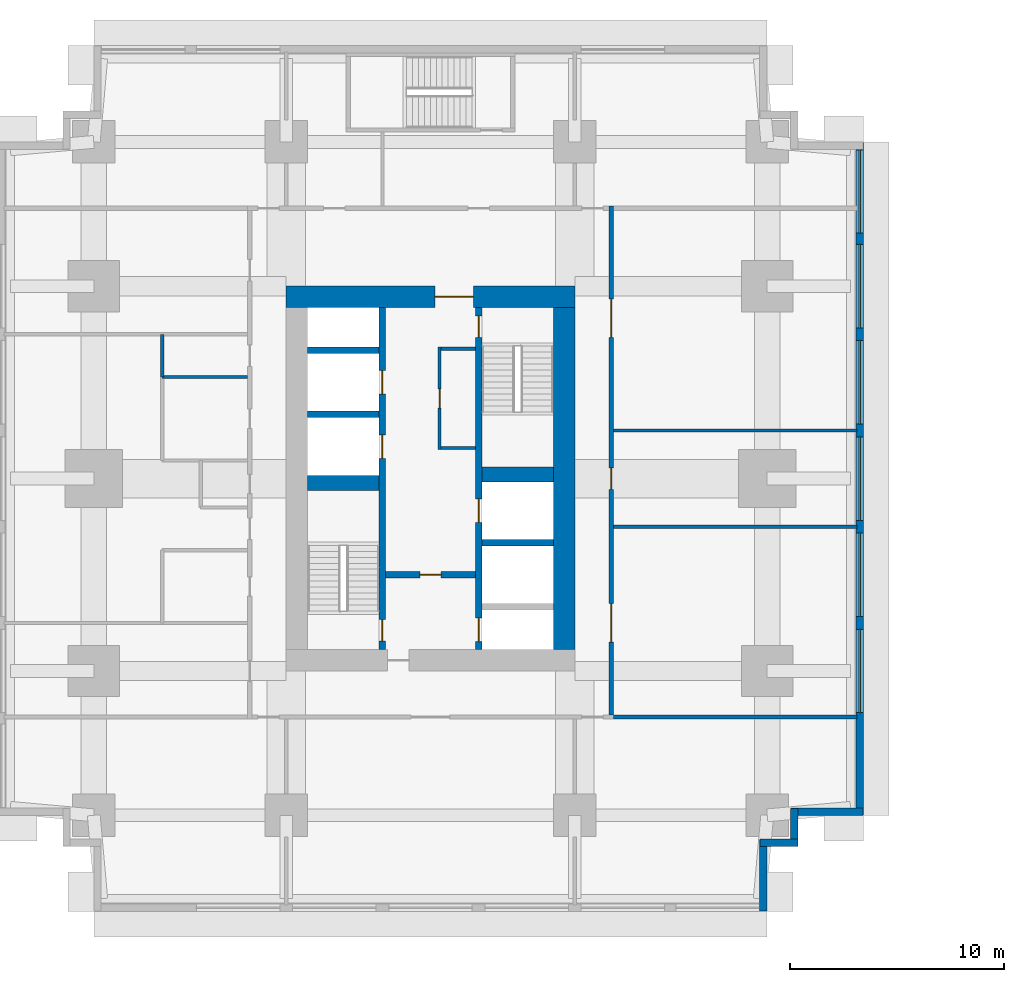
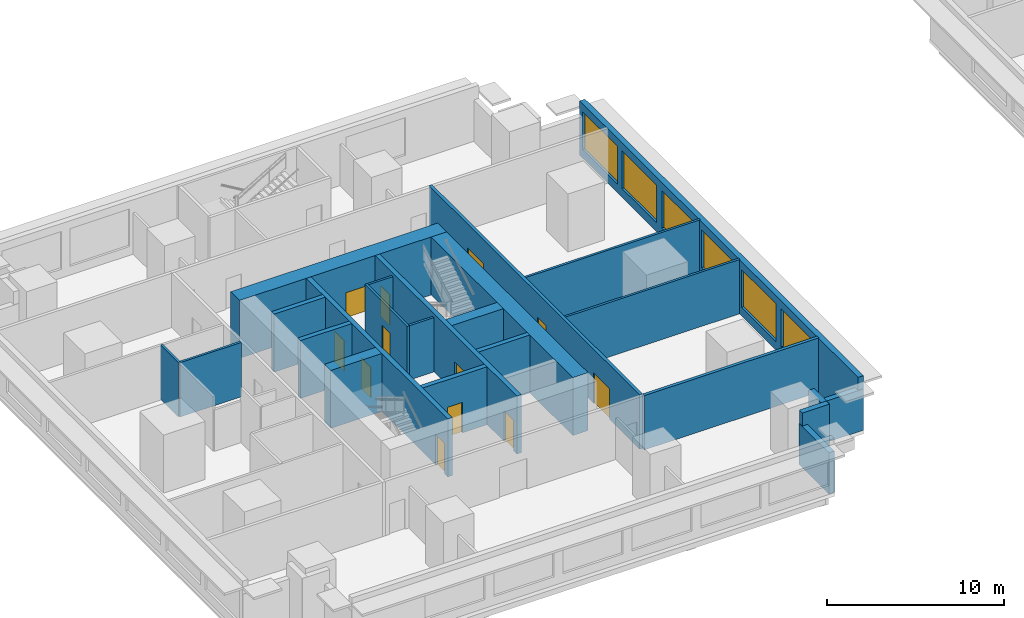
# One storey, part 4 of 11: 24 walls, 12 doors, 6 windows, 18 openings.
"""IFC4 building model written with IfcOpenShell, lengths in metres."""

from ifc_helpers import new_model, si_unit, direction, frame, frame_2d, origin, place, context, subcontext, project, spatial, rectangle, extrude, material, layer, layer_set, type_object, element, fill, save


model = new_model("IFC4")

# Units and contexts
model_context = context("Model", 3, precision=1e-05, world=origin(), true_north=direction((0.0, 1.0)))
body_context = subcontext(model_context, "Body", "Model", "MODEL_VIEW")
ifc_project = project(units=[si_unit("LENGTHUNIT", "METRE"), si_unit("AREAUNIT", "SQUARE_METRE"), si_unit("VOLUMEUNIT", "CUBIC_METRE"), si_unit("PLANEANGLEUNIT", "RADIAN"), si_unit("MASSUNIT", "GRAM", prefix="KILO")], contexts=[model_context])

# Site, building, storey
site_placement = place(None, origin())
site = spatial("IfcSite", under=ifc_project, at=site_placement, CompositionType="ELEMENT")
building_placement = place(site_placement, origin())
building = spatial("IfcBuilding", under=site, at=building_placement, Name="Namib Vertical Campus", CompositionType="ELEMENT")
storey_placement = place(building_placement, frame((0.0, 0.0, 53.0)))
storey = spatial("IfcBuildingStorey", under=building, at=storey_placement, Name="L12", CompositionType="ELEMENT", Elevation=53.0)

# Wall, openings, doors
ifc_material_1 = material(Name="Concrete C60/75", Category="concrete")
ifc_layer_1 = layer(ifc_material_1, 0.300048828125)
ifc_layer_set_1 = layer_set([ifc_layer_1], Name="Concrete C60/75")
wall_type_1 = type_object("IfcWallType", Name="Core inner wall 300", PredefinedType="SHEAR", material=ifc_layer_set_1)
wall_1_placement = place(storey_placement, frame((18.0, 12.25, 0.0), z_axis=(0.0, 0.0, 1.0), x_axis=(0.0, 1.0, 0.0)))
wall_1 = element("IfcWall", 1, at=wall_1_placement, inside=storey, type_object=wall_type_1, Name="Core inner wall A L12 W1", PredefinedType="SHEAR", context=body_context, shape_type="SweptSolid", body=[
    extrude(rectangle(XDim=16.0, YDim=0.300048828125, at=frame_2d((8.0, 0.0))), origin(), (0.0, 0.0, 1.0), 4.0),
])
opening_1_placement = place(wall_1_placement, frame((0.39990234375, 0.0, 0.0)))
opening_1 = element("IfcOpeningElement", 2, at=opening_1_placement, cuts=wall_1, Name="Opening FD1", PredefinedType="OPENING", context=body_context, shape_type="SweptSolid", body=[
    extrude(rectangle(XDim=1.0, YDim=2.10009765625, at=frame_2d((0.5, 1.050048828125))), frame((0.0, 0.159912109375, 0.0), z_axis=(0.0, -1.0, 0.0), x_axis=(1.0, 0.0, 0.0)), (0.0, 0.0, 1.0), 0.320068359375),
])
opening_2_placement = place(wall_1_placement, frame((8.949951171875, 0.0, 0.0)))
opening_2 = element("IfcOpeningElement", 3, at=opening_2_placement, cuts=wall_1, Name="Opening LD1", PredefinedType="OPENING", context=body_context, shape_type="SweptSolid", body=[
    extrude(rectangle(XDim=1.10009765625, YDim=2.10009765625, at=frame_2d((0.550048828125, 1.050048828125))), frame((0.0, 0.159912109375, 0.0), z_axis=(0.0, -1.0, 0.0), x_axis=(1.0, 0.0, 0.0)), (0.0, 0.0, 1.0), 0.320068359375),
])
opening_3_placement = place(wall_1_placement, frame((11.949951171875, 0.0, 0.0)))
opening_3 = element("IfcOpeningElement", 4, at=opening_3_placement, cuts=wall_1, Name="Opening LD1", PredefinedType="OPENING", context=body_context, shape_type="SweptSolid", body=[
    extrude(rectangle(XDim=1.10009765625, YDim=2.10009765625, at=frame_2d((0.550048828125, 1.050048828125))), frame((0.0, 0.159912109375, 0.0), z_axis=(0.0, -1.0, 0.0), x_axis=(1.0, 0.0, 0.0)), (0.0, 0.0, 1.0), 0.320068359375),
])
ifc_material_2 = material(Name="Steel fire door", Category="steel")
door_type_1 = type_object("IfcDoorType", Name="Fire door 1000x2100", OperationType="SINGLE_SWING_RIGHT", PredefinedType="DOOR", material=ifc_material_2)
door_1_placement = place(opening_1_placement, origin())
door_1 = element("IfcDoor", 5, at=door_1_placement, inside=storey, type_object=door_type_1, Name="Stair door FD1 A L12 S1", OperationType="SINGLE_SWING_LEFT", OverallHeight=2.10009765625, OverallWidth=1.0, PredefinedType="DOOR", context=body_context, shape_type="SweptSolid", body=[
    extrude(rectangle(XDim=1.0, YDim=2.10009765625, at=frame_2d((0.5, 1.050048828125))), frame((0.0, 0.02490234375, 0.0), z_axis=(0.0, -1.0, 0.0), x_axis=(1.0, 0.0, 0.0)), (0.0, 0.0, 1.0), 0.050048828125),
])
fill(opening_1, door_1)
ifc_material_3 = material(Name="Stainless steel lift door", Category="steel")
door_type_2 = type_object("IfcDoorType", Name="Lift landing door 1100x2100", OperationType="DOUBLE_DOOR_SLIDING", PredefinedType="DOOR", material=ifc_material_3)
door_2_placement = place(opening_2_placement, origin())
door_2 = element("IfcDoor", 6, at=door_2_placement, inside=storey, type_object=door_type_2, Name="Lift landing door LD1 A-P1 L12", OperationType="DOUBLE_DOOR_SLIDING", OverallHeight=2.10009765625, OverallWidth=1.10009765625, PredefinedType="DOOR", context=body_context, shape_type="SweptSolid", body=[
    extrude(rectangle(XDim=1.10009765625, YDim=2.10009765625, at=frame_2d((0.550048828125, 1.050048828125))), frame((0.0, 0.02490234375, 0.0), z_axis=(0.0, -1.0, 0.0), x_axis=(1.0, 0.0, 0.0)), (0.0, 0.0, 1.0), 0.050048828125),
])
fill(opening_2, door_2)
door_3_placement = place(opening_3_placement, origin())
door_3 = element("IfcDoor", 7, at=door_3_placement, inside=storey, type_object=door_type_2, Name="Lift landing door LD1 A-P2 L12", OperationType="DOUBLE_DOOR_SLIDING", OverallHeight=2.10009765625, OverallWidth=1.10009765625, PredefinedType="DOOR", context=body_context, shape_type="SweptSolid", body=[
    extrude(rectangle(XDim=1.10009765625, YDim=2.10009765625, at=frame_2d((0.550048828125, 1.050048828125))), frame((0.0, 0.02490234375, 0.0), z_axis=(0.0, -1.0, 0.0), x_axis=(1.0, 0.0, 0.0)), (0.0, 0.0, 1.0), 0.050048828125),
])
fill(opening_3, door_3)

wall_2_placement = place(storey_placement, frame((22.5, 12.25, 0.0), z_axis=(0.0, 0.0, 1.0), x_axis=(0.0, 1.0, 0.0)))
wall_2 = element("IfcWall", 8, at=wall_2_placement, inside=storey, type_object=wall_type_1, Name="Core inner wall A L12 W2", PredefinedType="SHEAR", context=body_context, shape_type="SweptSolid", body=[
    extrude(rectangle(XDim=16.0, YDim=0.300048828125, at=frame_2d((8.0, 0.0))), origin(), (0.0, 0.0, 1.0), 4.0),
])
opening_4_placement = place(wall_2_placement, frame((14.60009765625, 0.0, 0.0)))
opening_4 = element("IfcOpeningElement", 9, at=opening_4_placement, cuts=wall_2, Name="Opening FD1", PredefinedType="OPENING", context=body_context, shape_type="SweptSolid", body=[
    extrude(rectangle(XDim=1.0, YDim=2.10009765625, at=frame_2d((0.5, 1.050048828125))), frame((0.0, 0.159912109375, 0.0), z_axis=(0.0, -1.0, 0.0), x_axis=(1.0, 0.0, 0.0)), (0.0, 0.0, 1.0), 0.320068359375),
])
opening_5_placement = place(wall_2_placement, frame((0.375, 0.0, 0.0)))
opening_5 = element("IfcOpeningElement", 10, at=opening_5_placement, cuts=wall_2, Name="Opening LD1", PredefinedType="OPENING", context=body_context, shape_type="SweptSolid", body=[
    extrude(rectangle(XDim=1.10009765625, YDim=2.10009765625, at=frame_2d((0.550048828125, 1.050048828125))), frame((0.0, 0.159912109375, 0.0), z_axis=(0.0, -1.0, 0.0), x_axis=(1.0, 0.0, 0.0)), (0.0, 0.0, 1.0), 0.320068359375),
])
opening_6_placement = place(wall_2_placement, frame((5.949951171875, 0.0, 0.0)))
opening_6 = element("IfcOpeningElement", 11, at=opening_6_placement, cuts=wall_2, Name="Opening LD1", PredefinedType="OPENING", context=body_context, shape_type="SweptSolid", body=[
    extrude(rectangle(XDim=1.10009765625, YDim=2.10009765625, at=frame_2d((0.550048828125, 1.050048828125))), frame((0.0, 0.159912109375, 0.0), z_axis=(0.0, -1.0, 0.0), x_axis=(1.0, 0.0, 0.0)), (0.0, 0.0, 1.0), 0.320068359375),
])
door_4_placement = place(opening_4_placement, frame((1.0, 0.0, 0.0), z_axis=(0.0, 0.0, 1.0), x_axis=(-1.0, 0.0, 0.0)))
door_4 = element("IfcDoor", 12, at=door_4_placement, inside=storey, type_object=door_type_1, Name="Stair door FD1 A L12 S2", OperationType="SINGLE_SWING_LEFT", OverallHeight=2.10009765625, OverallWidth=1.0, PredefinedType="DOOR", context=body_context, shape_type="SweptSolid", body=[
    extrude(rectangle(XDim=1.0, YDim=2.10009765625, at=frame_2d((0.5, 1.050048828125))), frame((0.0, 0.02490234375, 0.0), z_axis=(0.0, -1.0, 0.0), x_axis=(1.0, 0.0, 0.0)), (0.0, 0.0, 1.0), 0.050048828125),
])
fill(opening_4, door_4)
door_5_placement = place(opening_5_placement, origin())
door_5 = element("IfcDoor", 13, at=door_5_placement, inside=storey, type_object=door_type_2, Name="Lift landing door LD1 A-FL1 L12", OperationType="DOUBLE_DOOR_SLIDING", OverallHeight=2.10009765625, OverallWidth=1.10009765625, PredefinedType="DOOR", context=body_context, shape_type="SweptSolid", body=[
    extrude(rectangle(XDim=1.10009765625, YDim=2.10009765625, at=frame_2d((0.550048828125, 1.050048828125))), frame((0.0, 0.02490234375, 0.0), z_axis=(0.0, -1.0, 0.0), x_axis=(1.0, 0.0, 0.0)), (0.0, 0.0, 1.0), 0.050048828125),
])
fill(opening_5, door_5)
door_6_placement = place(opening_6_placement, origin())
door_6 = element("IfcDoor", 14, at=door_6_placement, inside=storey, type_object=door_type_2, Name="Lift landing door LD1 A-P5 L12", OperationType="DOUBLE_DOOR_SLIDING", OverallHeight=2.10009765625, OverallWidth=1.10009765625, PredefinedType="DOOR", context=body_context, shape_type="SweptSolid", body=[
    extrude(rectangle(XDim=1.10009765625, YDim=2.10009765625, at=frame_2d((0.550048828125, 1.050048828125))), frame((0.0, 0.02490234375, 0.0), z_axis=(0.0, -1.0, 0.0), x_axis=(1.0, 0.0, 0.0)), (0.0, 0.0, 1.0), 0.050048828125),
])
fill(opening_6, door_6)

# Wall, opening, door
wall_3_placement = place(storey_placement, frame((18.14990234375, 15.75, 0.0), z_axis=(0.0, 0.0, 1.0), x_axis=(1.0, 0.0, 0.0)))
wall_3 = element("IfcWall", 15, at=wall_3_placement, inside=storey, type_object=wall_type_1, Name="Core inner wall A L12 W4", PredefinedType="SHEAR", context=body_context, shape_type="SweptSolid", body=[
    extrude(rectangle(XDim=4.2001953125, YDim=0.300048828125, at=frame_2d((2.10009765625, 0.0))), origin(), (0.0, 0.0, 1.0), 4.0),
])
opening_7_placement = place(wall_3_placement, frame((1.60009765625, 0.0, 0.0)))
opening_7 = element("IfcOpeningElement", 16, at=opening_7_placement, cuts=wall_3, Name="Opening FD5", PredefinedType="OPENING", context=body_context, shape_type="SweptSolid", body=[
    extrude(rectangle(XDim=1.0, YDim=2.10009765625, at=frame_2d((0.5, 1.050048828125))), frame((0.0, 0.159912109375, 0.0), z_axis=(0.0, -1.0, 0.0), x_axis=(1.0, 0.0, 0.0)), (0.0, 0.0, 1.0), 0.320068359375),
])
ifc_material_4 = material(Name="Steel fire door", Category="steel")
door_type_3 = type_object("IfcDoorType", Name="Fire door 1000x2100 120 min", OperationType="SINGLE_SWING_RIGHT", PredefinedType="DOOR", material=ifc_material_4)
door_7_placement = place(opening_7_placement, frame((1.0, 0.0, 0.0), z_axis=(0.0, 0.0, 1.0), x_axis=(-1.0, 0.0, 0.0)))
door_7 = element("IfcDoor", 17, at=door_7_placement, inside=storey, type_object=door_type_3, Name="Lobby door FD5 A L12", OperationType="SINGLE_SWING_RIGHT", OverallHeight=2.10009765625, OverallWidth=1.0, PredefinedType="DOOR", context=body_context, shape_type="SweptSolid", body=[
    extrude(rectangle(XDim=1.0, YDim=2.10009765625, at=frame_2d((0.5, 1.050048828125))), frame((0.0, 0.02490234375, 0.0), z_axis=(0.0, -1.0, 0.0), x_axis=(1.0, 0.0, 0.0)), (0.0, 0.0, 1.0), 0.050048828125),
])
fill(opening_7, door_7)

# Walls
for number, where, z_axis, x_axis, name in (
    (18, (22.64990234375, 17.25, 0.0), (0.0, 0.0, 1.0), (1.0, 0.0, 0.0), "Core inner wall A L12 W6"),
    (19, (14.5, 23.25, 0.0), (0.0, 0.0, 1.0), (1.0, 0.0, 0.0), "Core inner wall A L12 W8"),
    (20, (14.5, 26.25, 0.0), (0.0, 0.0, 1.0), (1.0, 0.0, 0.0), "Core inner wall A L12 W9"),
):
    element("IfcWall", number, at=place(storey_placement, frame(where, z_axis=z_axis, x_axis=x_axis)), inside=storey, type_object=wall_type_1, Name=name, PredefinedType="SHEAR", context=body_context, shape_type="SweptSolid", body=[
        extrude(rectangle(XDim=3.35009765625, YDim=0.300048828125, at=frame_2d((1.675048828125, 0.0))), origin(), (0.0, 0.0, 1.0), 4.0),
    ])
ifc_material_5 = material(Name="Concrete C60/75", Category="concrete")
ifc_layer_2 = layer(ifc_material_5, 0.699951171875)
ifc_layer_set_2 = layer_set([ifc_layer_2], Name="Concrete C60/75")
wall_type_2 = type_object("IfcWallType", Name="Core shear wall 700", PredefinedType="SHEAR", material=ifc_layer_set_2)
for number, where, z_axis, x_axis, name in (
    (21, (14.5, 20.050048828125, 0.0), (0.0, 0.0, 1.0), (1.0, 0.0, 0.0), "Core shear wall A L12 W3"),
    (22, (22.64990234375, 20.449951171875, 0.0), (0.0, 0.0, 1.0), (1.0, 0.0, 0.0), "Core shear wall A L12 W7"),
):
    element("IfcWall", number, at=place(storey_placement, frame(where, z_axis=z_axis, x_axis=x_axis)), inside=storey, type_object=wall_type_2, Name=name, PredefinedType="SHEAR", context=body_context, shape_type="SweptSolid", body=[
        extrude(rectangle(XDim=3.35009765625, YDim=0.699951171875, at=frame_2d((1.675048828125, 0.0))), origin(), (0.0, 0.0, 1.0), 4.0),
    ])
ifc_material_6 = material(Name="Concrete C60/75", Category="concrete")
ifc_layer_3 = layer(ifc_material_6, 1.0)
ifc_layer_set_3 = layer_set([ifc_layer_3], Name="Concrete C60/75")
wall_type_3 = type_object("IfcWallType", Name="Core wall 1000", PredefinedType="SHEAR", material=ifc_layer_set_3)
wall_4_placement = place(storey_placement, frame((26.5, 12.25, 0.0), z_axis=(0.0, 0.0, 1.0), x_axis=(0.0, 1.0, 0.0)))
element("IfcWall", 23, at=wall_4_placement, inside=storey, type_object=wall_type_3, Name="Core wall A L12 2", PredefinedType="SHEAR", context=body_context, shape_type="SweptSolid", body=[
    extrude(rectangle(XDim=16.0, YDim=1.0, at=frame_2d((8.0, 0.0))), origin(), (0.0, 0.0, 1.0), 4.0),
])

# Wall, opening, door
wall_5_placement = place(storey_placement, frame((27.0, 28.75, 0.0), z_axis=(0.0, 0.0, 1.0), x_axis=(-1.0, 0.0, 0.0)))
wall_5 = element("IfcWall", 24, at=wall_5_placement, inside=storey, type_object=wall_type_3, Name="Core wall A L12 3", PredefinedType="SHEAR", context=body_context, shape_type="SweptSolid", body=[
    extrude(rectangle(XDim=13.5, YDim=1.0, at=frame_2d((6.75, 0.0))), origin(), (0.0, 0.0, 1.0), 4.0),
])
opening_8_placement = place(wall_5_placement, frame((4.75, 0.0, 0.0)))
opening_8 = element("IfcOpeningElement", 25, at=opening_8_placement, cuts=wall_5, Name="Opening FD2", PredefinedType="OPENING", context=body_context, shape_type="SweptSolid", body=[
    extrude(rectangle(XDim=1.800048828125, YDim=2.10009765625, at=frame_2d((0.89990234375, 1.050048828125))), frame((0.0, 0.510009765625, 0.0), z_axis=(0.0, -1.0, 0.0), x_axis=(1.0, 0.0, 0.0)), (0.0, 0.0, 1.0), 1.02001953125),
])
ifc_material_7 = material(Name="Steel fire door", Category="steel")
door_type_4 = type_object("IfcDoorType", Name="Fire door double 1800x2100", OperationType="DOUBLE_DOOR_SINGLE_SWING", PredefinedType="DOOR", material=ifc_material_7)
door_8_placement = place(opening_8_placement, origin())
door_8 = element("IfcDoor", 26, at=door_8_placement, inside=storey, type_object=door_type_4, Name="Lift lobby door FD2 A L12", OperationType="DOUBLE_DOOR_SINGLE_SWING", OverallHeight=2.10009765625, OverallWidth=1.800048828125, PredefinedType="DOOR", context=body_context, shape_type="SweptSolid", body=[
    extrude(rectangle(XDim=1.800048828125, YDim=2.10009765625, at=frame_2d((0.89990234375, 1.050048828125))), frame((0.0, 0.02490234375, 0.0), z_axis=(0.0, -1.0, 0.0), x_axis=(1.0, 0.0, 0.0)), (0.0, 0.0, 1.0), 0.050048828125),
])
fill(opening_8, door_8)

# Wall, openings, doors
ifc_material_8 = material(Name="Concrete masonry", Category="masonry")
ifc_layer_4 = layer(ifc_material_8, 0.199951171875)
ifc_layer_set_4 = layer_set([ifc_layer_4], Name="Corridor wall 200")
wall_type_4 = type_object("IfcWallType", Name="Corridor wall 200", PredefinedType="SOLIDWALL", material=ifc_layer_set_4)
wall_6_placement = place(storey_placement, frame((28.699951171875, 9.199951171875, 0.0), z_axis=(0.0, 0.0, 1.0), x_axis=(0.0, 1.0, 0.0)))
wall_6 = element("IfcWall", 27, at=wall_6_placement, inside=storey, type_object=wall_type_4, Name="Corridor wall A L12 CE", PredefinedType="SOLIDWALL", context=body_context, shape_type="SweptSolid", body=[
    extrude(rectangle(XDim=23.800048828125, YDim=0.199951171875, at=frame_2d((11.89990234375, 0.0))), origin(), (0.0, 0.0, 1.0), 3.75),
])
opening_9_placement = place(wall_6_placement, frame((3.39990234375, 0.0, 0.0)))
opening_9 = element("IfcOpeningElement", 28, at=opening_9_placement, cuts=wall_6, Name="Opening CD2", PredefinedType="OPENING", context=body_context, shape_type="SweptSolid", body=[
    extrude(rectangle(XDim=1.800048828125, YDim=2.10009765625, at=frame_2d((0.89990234375, 1.050048828125))), frame((0.0, 0.10986328125, 0.0), z_axis=(0.0, -1.0, 0.0), x_axis=(1.0, 0.0, 0.0)), (0.0, 0.0, 1.0), 0.219970703125),
])
opening_10_placement = place(wall_6_placement, frame((10.550048828125, 0.0, 0.0)))
opening_10 = element("IfcOpeningElement", 29, at=opening_10_placement, cuts=wall_6, Name="Opening CD1", PredefinedType="OPENING", context=body_context, shape_type="SweptSolid", body=[
    extrude(rectangle(XDim=1.0, YDim=2.10009765625, at=frame_2d((0.5, 1.050048828125))), frame((0.0, 0.10986328125, 0.0), z_axis=(0.0, -1.0, 0.0), x_axis=(1.0, 0.0, 0.0)), (0.0, 0.0, 1.0), 0.219970703125),
])
opening_11_placement = place(wall_6_placement, frame((17.64990234375, 0.0, 0.0)))
opening_11 = element("IfcOpeningElement", 30, at=opening_11_placement, cuts=wall_6, Name="Opening CD2", PredefinedType="OPENING", context=body_context, shape_type="SweptSolid", body=[
    extrude(rectangle(XDim=1.800048828125, YDim=2.10009765625, at=frame_2d((0.89990234375, 1.050048828125))), frame((0.0, 0.10986328125, 0.0), z_axis=(0.0, -1.0, 0.0), x_axis=(1.0, 0.0, 0.0)), (0.0, 0.0, 1.0), 0.219970703125),
])
ifc_material_9 = material(Name="Timber fire door leaf", Category="wood")
door_type_5 = type_object("IfcDoorType", Name="Corridor door 1000x2100 20 min", OperationType="SINGLE_SWING_LEFT", PredefinedType="DOOR", material=ifc_material_9)
door_9_placement = place(opening_10_placement, frame((1.0, 0.0, 0.0), z_axis=(0.0, 0.0, 1.0), x_axis=(-1.0, 0.0, 0.0)))
door_9 = element("IfcDoor", 31, at=door_9_placement, inside=storey, type_object=door_type_5, Name="Door CD1 A12-05", OperationType="SINGLE_SWING_RIGHT", OverallHeight=2.10009765625, OverallWidth=1.0, PredefinedType="DOOR", context=body_context, shape_type="SweptSolid", body=[
    extrude(rectangle(XDim=1.0, YDim=2.10009765625, at=frame_2d((0.5, 1.050048828125))), frame((0.0, 0.02490234375, 0.0), z_axis=(0.0, -1.0, 0.0), x_axis=(1.0, 0.0, 0.0)), (0.0, 0.0, 1.0), 0.050048828125),
])
fill(opening_10, door_9)
ifc_material_10 = material(Name="Timber fire door leaf", Category="wood")
door_type_6 = type_object("IfcDoorType", Name="Corridor door double 1800x2100 20 min", OperationType="DOUBLE_DOOR_SINGLE_SWING", PredefinedType="DOOR", material=ifc_material_10)
door_10_placement = place(opening_9_placement, frame((1.800048828125, 0.0, 0.0), z_axis=(0.0, 0.0, 1.0), x_axis=(-1.0, 0.0, 0.0)))
door_10 = element("IfcDoor", 32, at=door_10_placement, inside=storey, type_object=door_type_6, Name="Door CD2 A12-04", OperationType="DOUBLE_DOOR_SINGLE_SWING", OverallHeight=2.10009765625, OverallWidth=1.800048828125, PredefinedType="DOOR", context=body_context, shape_type="SweptSolid", body=[
    extrude(rectangle(XDim=1.800048828125, YDim=2.10009765625, at=frame_2d((0.89990234375, 1.050048828125))), frame((0.0, 0.02490234375, 0.0), z_axis=(0.0, -1.0, 0.0), x_axis=(1.0, 0.0, 0.0)), (0.0, 0.0, 1.0), 0.050048828125),
])
fill(opening_9, door_10)
door_11_placement = place(opening_11_placement, frame((1.800048828125, 0.0, 0.0), z_axis=(0.0, 0.0, 1.0), x_axis=(-1.0, 0.0, 0.0)))
door_11 = element("IfcDoor", 33, at=door_11_placement, inside=storey, type_object=door_type_6, Name="Door CD2 A12-06", OperationType="DOUBLE_DOOR_SINGLE_SWING", OverallHeight=2.10009765625, OverallWidth=1.800048828125, PredefinedType="DOOR", context=body_context, shape_type="SweptSolid", body=[
    extrude(rectangle(XDim=1.800048828125, YDim=2.10009765625, at=frame_2d((0.89990234375, 1.050048828125))), frame((0.0, 0.02490234375, 0.0), z_axis=(0.0, -1.0, 0.0), x_axis=(1.0, 0.0, 0.0)), (0.0, 0.0, 1.0), 0.050048828125),
])
fill(opening_11, door_11)

# Walls
wall_7_placement = place(storey_placement, frame((28.800048828125, 9.10009765625, 0.0), z_axis=(0.0, 0.0, 1.0), x_axis=(1.0, 0.0, 0.0)))
element("IfcWall", 34, at=wall_7_placement, inside=storey, type_object=wall_type_4, Name="Partition A L12 BSE", PredefinedType="SOLIDWALL", context=body_context, shape_type="SweptSolid", body=[
    extrude(rectangle(XDim=11.39990234375, YDim=0.199951171875, at=frame_2d((5.699951171875, 0.0))), origin(), (0.0, 0.0, 1.0), 3.75),
])
ifc_material_11 = material(Name="Concrete C40/50", Category="concrete")
ifc_layer_5 = layer(ifc_material_11, 0.35009765625)
ifc_layer_set_5 = layer_set([ifc_layer_5], Name="Concrete C40/50")
wall_type_5 = type_object("IfcWallType", Name="External wall 350 bush-hammered concrete", PredefinedType="STANDARD", material=ifc_layer_set_5)
wall_8_placement = place(storey_placement, frame((35.824951171875, 0.02001953125, 0.0), z_axis=(0.0, 0.0, 1.0), x_axis=(0.0, 1.0, 0.0)))
element("IfcWall", 35, at=wall_8_placement, inside=storey, type_object=wall_type_5, Name="External wall L12 F02", PredefinedType="STANDARD", context=body_context, shape_type="SweptSolid", body=[
    extrude(rectangle(XDim=3.35986328125, YDim=0.35009765625, at=frame_2d((1.679931640625, 0.0))), origin(), (0.0, 0.0, 1.0), 2.85009765625),
])
for number, where, z_axis, x_axis, name in (
    (36, (35.669921875, 3.22509765625, 0.0), (0.0, 0.0, 1.0), (1.0, 0.0, 0.0), "External wall L12 F03"),
    (37, (37.27490234375, 3.070068359375, 0.0), (0.0, 0.0, 1.0), (0.0, 1.0, 0.0), "External wall L12 F04"),
):
    element("IfcWall", number, at=place(storey_placement, frame(where, z_axis=z_axis, x_axis=x_axis)), inside=storey, type_object=wall_type_5, Name=name, PredefinedType="STANDARD", context=body_context, shape_type="SweptSolid", body=[
        extrude(rectangle(XDim=1.760009765625, YDim=0.35009765625, at=frame_2d((0.8798828125, 0.0))), origin(), (0.0, 0.0, 1.0), 3.75),
    ])
wall_9_placement = place(storey_placement, frame((37.1201171875, 4.675048828125, 0.0), z_axis=(0.0, 0.0, 1.0), x_axis=(1.0, 0.0, 0.0)))
element("IfcWall", 38, at=wall_9_placement, inside=storey, type_object=wall_type_5, Name="External wall L12 F05", PredefinedType="STANDARD", context=body_context, shape_type="SweptSolid", body=[
    extrude(rectangle(XDim=3.35986328125, YDim=0.35009765625, at=frame_2d((1.679931640625, 0.0))), origin(), (0.0, 0.0, 1.0), 2.85009765625),
])

# Wall, openings, windows
wall_10_placement = place(storey_placement, frame((40.324951171875, 4.52001953125, 0.0), z_axis=(0.0, 0.0, 1.0), x_axis=(0.0, 1.0, 0.0)))
wall_10 = element("IfcWall", 39, at=wall_10_placement, inside=storey, type_object=wall_type_5, Name="External wall L12 F06", PredefinedType="STANDARD", context=body_context, shape_type="SweptSolid", body=[
    extrude(rectangle(XDim=31.4599609375, YDim=0.35009765625, at=frame_2d((15.72998046875, 0.0))), origin(), (0.0, 0.0, 1.0), 3.75),
])
opening_12_placement = place(wall_10_placement, frame((4.780029296875, 0.0, 0.60009765625)))
opening_12 = element("IfcOpeningElement", 40, at=opening_12_placement, cuts=wall_10, Name="Opening W2", PredefinedType="OPENING", context=body_context, shape_type="SweptSolid", body=[
    extrude(rectangle(XDim=3.89990234375, YDim=2.60009765625, at=frame_2d((1.949951171875, 1.300048828125))), frame((0.0, 0.18505859375, 0.0), z_axis=(0.0, -1.0, 0.0), x_axis=(1.0, 0.0, 0.0)), (0.0, 0.0, 1.0), 0.3701171875),
])
opening_13_placement = place(wall_10_placement, frame((9.280029296875, 0.0, 0.60009765625)))
opening_13 = element("IfcOpeningElement", 41, at=opening_13_placement, cuts=wall_10, Name="Opening W2", PredefinedType="OPENING", context=body_context, shape_type="SweptSolid", body=[
    extrude(rectangle(XDim=3.89990234375, YDim=2.60009765625, at=frame_2d((1.949951171875, 1.300048828125))), frame((0.0, 0.18505859375, 0.0), z_axis=(0.0, -1.0, 0.0), x_axis=(1.0, 0.0, 0.0)), (0.0, 0.0, 1.0), 0.3701171875),
])
opening_14_placement = place(wall_10_placement, frame((13.780029296875, 0.0, 0.60009765625)))
opening_14 = element("IfcOpeningElement", 42, at=opening_14_placement, cuts=wall_10, Name="Opening W2", PredefinedType="OPENING", context=body_context, shape_type="SweptSolid", body=[
    extrude(rectangle(XDim=3.89990234375, YDim=2.60009765625, at=frame_2d((1.949951171875, 1.300048828125))), frame((0.0, 0.18505859375, 0.0), z_axis=(0.0, -1.0, 0.0), x_axis=(1.0, 0.0, 0.0)), (0.0, 0.0, 1.0), 0.3701171875),
])
opening_15_placement = place(wall_10_placement, frame((18.280029296875, 0.0, 0.60009765625)))
opening_15 = element("IfcOpeningElement", 43, at=opening_15_placement, cuts=wall_10, Name="Opening W2", PredefinedType="OPENING", context=body_context, shape_type="SweptSolid", body=[
    extrude(rectangle(XDim=3.89990234375, YDim=2.60009765625, at=frame_2d((1.949951171875, 1.300048828125))), frame((0.0, 0.18505859375, 0.0), z_axis=(0.0, -1.0, 0.0), x_axis=(1.0, 0.0, 0.0)), (0.0, 0.0, 1.0), 0.3701171875),
])
opening_16_placement = place(wall_10_placement, frame((22.780029296875, 0.0, 0.60009765625)))
opening_16 = element("IfcOpeningElement", 44, at=opening_16_placement, cuts=wall_10, Name="Opening W2", PredefinedType="OPENING", context=body_context, shape_type="SweptSolid", body=[
    extrude(rectangle(XDim=3.89990234375, YDim=2.60009765625, at=frame_2d((1.949951171875, 1.300048828125))), frame((0.0, 0.18505859375, 0.0), z_axis=(0.0, -1.0, 0.0), x_axis=(1.0, 0.0, 0.0)), (0.0, 0.0, 1.0), 0.3701171875),
])
opening_17_placement = place(wall_10_placement, frame((27.2099609375, 0.0, 0.60009765625)))
opening_17 = element("IfcOpeningElement", 45, at=opening_17_placement, cuts=wall_10, Name="Opening W2", PredefinedType="OPENING", context=body_context, shape_type="SweptSolid", body=[
    extrude(rectangle(XDim=3.89990234375, YDim=2.60009765625, at=frame_2d((1.949951171875, 1.300048828125))), frame((0.0, 0.18505859375, 0.0), z_axis=(0.0, -1.0, 0.0), x_axis=(1.0, 0.0, 0.0)), (0.0, 0.0, 1.0), 0.3701171875),
])
ifc_material_12 = material(Name="Dark tinted glass in black aluminium frame", Category="aluminium")
window_type = type_object("IfcWindowType", Name="Ribbon window 3900x2600", PartitioningType="SINGLE_PANEL", PredefinedType="WINDOW", material=ifc_material_12)
window_1_placement = place(opening_12_placement, origin())
window_1 = element("IfcWindow", 46, at=window_1_placement, inside=storey, type_object=window_type, Name="Window W2 L12 F06-2", OverallHeight=2.60009765625, OverallWidth=3.89990234375, PartitioningType="SINGLE_PANEL", PredefinedType="WINDOW", context=body_context, shape_type="SweptSolid", body=[
    extrude(rectangle(XDim=3.89990234375, YDim=2.60009765625, at=frame_2d((1.949951171875, 1.300048828125))), frame((0.0, 0.030029296875, 0.0), z_axis=(0.0, -1.0, 0.0), x_axis=(1.0, 0.0, 0.0)), (0.0, 0.0, 1.0), 0.06005859375),
])
fill(opening_12, window_1)
window_2_placement = place(opening_13_placement, origin())
window_2 = element("IfcWindow", 47, at=window_2_placement, inside=storey, type_object=window_type, Name="Window W2 L12 F06-3", OverallHeight=2.60009765625, OverallWidth=3.89990234375, PartitioningType="SINGLE_PANEL", PredefinedType="WINDOW", context=body_context, shape_type="SweptSolid", body=[
    extrude(rectangle(XDim=3.89990234375, YDim=2.60009765625, at=frame_2d((1.949951171875, 1.300048828125))), frame((0.0, 0.030029296875, 0.0), z_axis=(0.0, -1.0, 0.0), x_axis=(1.0, 0.0, 0.0)), (0.0, 0.0, 1.0), 0.06005859375),
])
fill(opening_13, window_2)
window_3_placement = place(opening_14_placement, origin())
window_3 = element("IfcWindow", 48, at=window_3_placement, inside=storey, type_object=window_type, Name="Window W2 L12 F06-4", OverallHeight=2.60009765625, OverallWidth=3.89990234375, PartitioningType="SINGLE_PANEL", PredefinedType="WINDOW", context=body_context, shape_type="SweptSolid", body=[
    extrude(rectangle(XDim=3.89990234375, YDim=2.60009765625, at=frame_2d((1.949951171875, 1.300048828125))), frame((0.0, 0.030029296875, 0.0), z_axis=(0.0, -1.0, 0.0), x_axis=(1.0, 0.0, 0.0)), (0.0, 0.0, 1.0), 0.06005859375),
])
fill(opening_14, window_3)
window_4_placement = place(opening_15_placement, origin())
window_4 = element("IfcWindow", 49, at=window_4_placement, inside=storey, type_object=window_type, Name="Window W2 L12 F06-5", OverallHeight=2.60009765625, OverallWidth=3.89990234375, PartitioningType="SINGLE_PANEL", PredefinedType="WINDOW", context=body_context, shape_type="SweptSolid", body=[
    extrude(rectangle(XDim=3.89990234375, YDim=2.60009765625, at=frame_2d((1.949951171875, 1.300048828125))), frame((0.0, 0.030029296875, 0.0), z_axis=(0.0, -1.0, 0.0), x_axis=(1.0, 0.0, 0.0)), (0.0, 0.0, 1.0), 0.06005859375),
])
fill(opening_15, window_4)
window_5_placement = place(opening_16_placement, origin())
window_5 = element("IfcWindow", 50, at=window_5_placement, inside=storey, type_object=window_type, Name="Window W2 L12 F06-6", OverallHeight=2.60009765625, OverallWidth=3.89990234375, PartitioningType="SINGLE_PANEL", PredefinedType="WINDOW", context=body_context, shape_type="SweptSolid", body=[
    extrude(rectangle(XDim=3.89990234375, YDim=2.60009765625, at=frame_2d((1.949951171875, 1.300048828125))), frame((0.0, 0.030029296875, 0.0), z_axis=(0.0, -1.0, 0.0), x_axis=(1.0, 0.0, 0.0)), (0.0, 0.0, 1.0), 0.06005859375),
])
fill(opening_16, window_5)
window_6_placement = place(opening_17_placement, origin())
window_6 = element("IfcWindow", 51, at=window_6_placement, inside=storey, type_object=window_type, Name="Window W2 L12 F06-7", OverallHeight=2.60009765625, OverallWidth=3.89990234375, PartitioningType="SINGLE_PANEL", PredefinedType="WINDOW", context=body_context, shape_type="SweptSolid", body=[
    extrude(rectangle(XDim=3.89990234375, YDim=2.60009765625, at=frame_2d((1.949951171875, 1.300048828125))), frame((0.0, 0.030029296875, 0.0), z_axis=(0.0, -1.0, 0.0), x_axis=(1.0, 0.0, 0.0)), (0.0, 0.0, 1.0), 0.06005859375),
])
fill(opening_17, window_6)

# Wall, opening, door
ifc_material_13 = material(Name="Gypsum board on steel studs", Category="steel")
ifc_layer_6 = layer(ifc_material_13, 0.14990234375)
ifc_layer_set_6 = layer_set([ifc_layer_6], Name="Gypsum board on steel studs")
wall_type_6 = type_object("IfcWallType", Name="Partition 150", PredefinedType="PARTITIONING", material=ifc_layer_set_6)
wall_11_placement = place(storey_placement, frame((20.675048828125, 21.60009765625, 0.0), z_axis=(0.0, 0.0, 1.0), x_axis=(0.0, 1.0, 0.0)))
wall_11 = element("IfcWall", 52, at=wall_11_placement, inside=storey, type_object=wall_type_6, Name="Partition A L12 Staff pantry front", PredefinedType="PARTITIONING", context=body_context, shape_type="SweptSolid", body=[
    extrude(rectangle(XDim=4.7998046875, YDim=0.14990234375, at=frame_2d((2.39990234375, 0.0))), origin(), (0.0, 0.0, 1.0), 3.75),
])
opening_18_placement = place(wall_11_placement, frame((1.949951171875, 0.0, 0.0)))
opening_18 = element("IfcOpeningElement", 53, at=opening_18_placement, cuts=wall_11, Name="Opening D3", PredefinedType="OPENING", context=body_context, shape_type="SweptSolid", body=[
    extrude(rectangle(XDim=0.89990234375, YDim=2.10009765625, at=frame_2d((0.449951171875, 1.050048828125))), frame((0.0, 0.0849609375, 0.0), z_axis=(0.0, -1.0, 0.0), x_axis=(1.0, 0.0, 0.0)), (0.0, 0.0, 1.0), 0.169921875),
])
ifc_material_14 = material(Name="Timber door leaf", Category="wood")
door_type_7 = type_object("IfcDoorType", Name="Toilet door 900x2100", OperationType="SINGLE_SWING_LEFT", PredefinedType="DOOR", material=ifc_material_14)
door_12_placement = place(opening_18_placement, frame((0.89990234375, 0.0, 0.0), z_axis=(0.0, 0.0, 1.0), x_axis=(-1.0, 0.0, 0.0)))
door_12 = element("IfcDoor", 54, at=door_12_placement, inside=storey, type_object=door_type_7, Name="Door D3 Staff pantry A L12", OperationType="SINGLE_SWING_RIGHT", OverallHeight=2.10009765625, OverallWidth=0.89990234375, PredefinedType="DOOR", context=body_context, shape_type="SweptSolid", body=[
    extrude(rectangle(XDim=0.89990234375, YDim=2.10009765625, at=frame_2d((0.449951171875, 1.050048828125))), frame((0.0, 0.02490234375, 0.0), z_axis=(0.0, -1.0, 0.0), x_axis=(1.0, 0.0, 0.0)), (0.0, 0.0, 1.0), 0.050048828125),
])
fill(opening_18, door_12)

# Walls
for number, where, z_axis, x_axis, name in (
    (55, (20.75, 21.675048828125, 0.0), (0.0, 0.0, 1.0), (1.0, 0.0, 0.0), "Partition A L12 Staff pantry end 1"),
    (56, (20.75, 26.324951171875, 0.0), (0.0, 0.0, 1.0), (1.0, 0.0, 0.0), "Partition A L12 Staff pantry end 2"),
):
    element("IfcWall", number, at=place(storey_placement, frame(where, z_axis=z_axis, x_axis=x_axis)), inside=storey, type_object=wall_type_6, Name=name, PredefinedType="PARTITIONING", context=body_context, shape_type="SweptSolid", body=[
        extrude(rectangle(XDim=1.60009765625, YDim=0.14990234375, at=frame_2d((0.800048828125, 0.0))), origin(), (0.0, 0.0, 1.0), 3.75),
    ])
for number, where, z_axis, x_axis, name in (
    (57, (28.800048828125, 18.0, 0.0), (0.0, 0.0, 1.0), (1.0, 0.0, 0.0), "Partition A L12 PE1"),
    (58, (28.800048828125, 22.5, 0.0), (0.0, 0.0, 1.0), (1.0, 0.0, 0.0), "Partition A L12 PE2"),
):
    element("IfcWall", number, at=place(storey_placement, frame(where, z_axis=z_axis, x_axis=x_axis)), inside=storey, type_object=wall_type_6, Name=name, PredefinedType="PARTITIONING", context=body_context, shape_type="SweptSolid", body=[
        extrude(rectangle(XDim=11.39990234375, YDim=0.14990234375, at=frame_2d((5.699951171875, 0.0))), origin(), (0.0, 0.0, 1.0), 3.75),
    ])
wall_12_placement = place(storey_placement, frame((11.699951171875, 25.0, 0.0), z_axis=(0.0, 0.0, 1.0), x_axis=(-1.0, 0.0, 0.0)))
element("IfcWall", 59, at=wall_12_placement, inside=storey, type_object=wall_type_6, Name="Partition A L12 WR4", PredefinedType="PARTITIONING", context=body_context, shape_type="SweptSolid", body=[
    extrude(rectangle(XDim=4.0, YDim=0.14990234375, at=frame_2d((2.0, 0.0))), origin(), (0.0, 0.0, 1.0), 3.75),
])
wall_13_placement = place(storey_placement, frame((7.699951171875, 25.0, 0.0), z_axis=(0.0, 0.0, 1.0), x_axis=(0.0, 1.0, 0.0)))
element("IfcWall", 60, at=wall_13_placement, inside=storey, type_object=wall_type_6, Name="Partition A L12 WB4", PredefinedType="PARTITIONING", context=body_context, shape_type="SweptSolid", body=[
    extrude(rectangle(XDim=2.0, YDim=0.14990234375, at=frame_2d((1.0, 0.0))), origin(), (0.0, 0.0, 1.0), 3.75),
])

save(model, "model.ifc")
